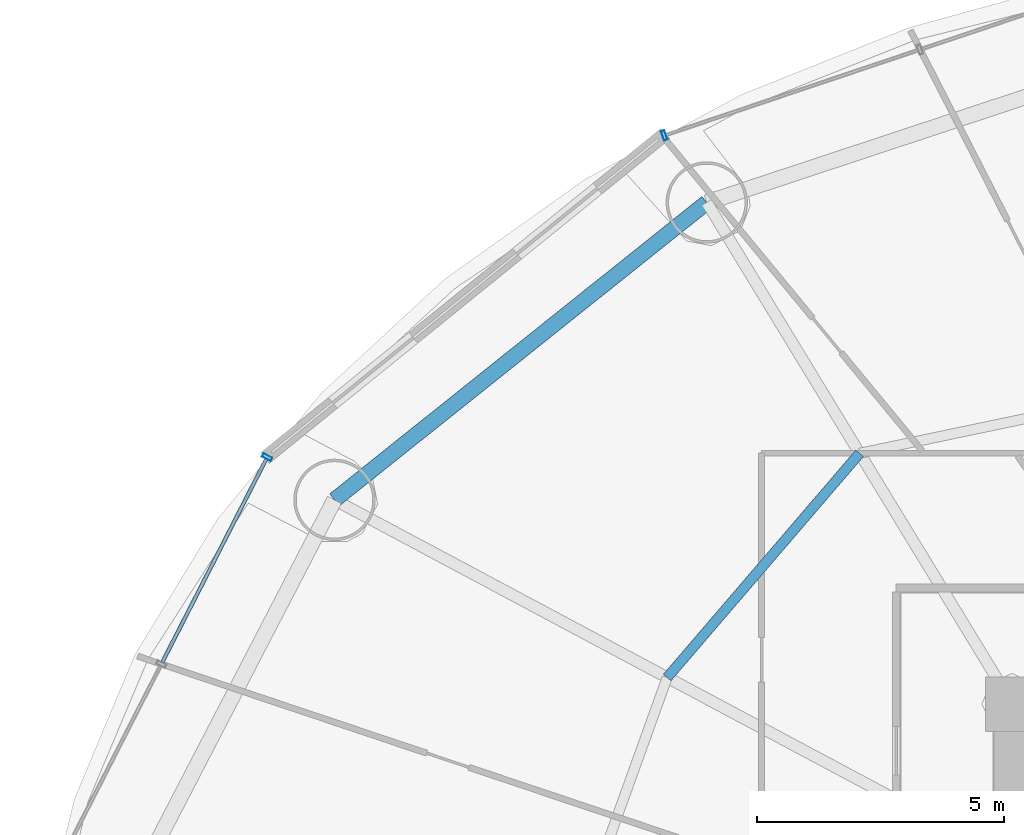
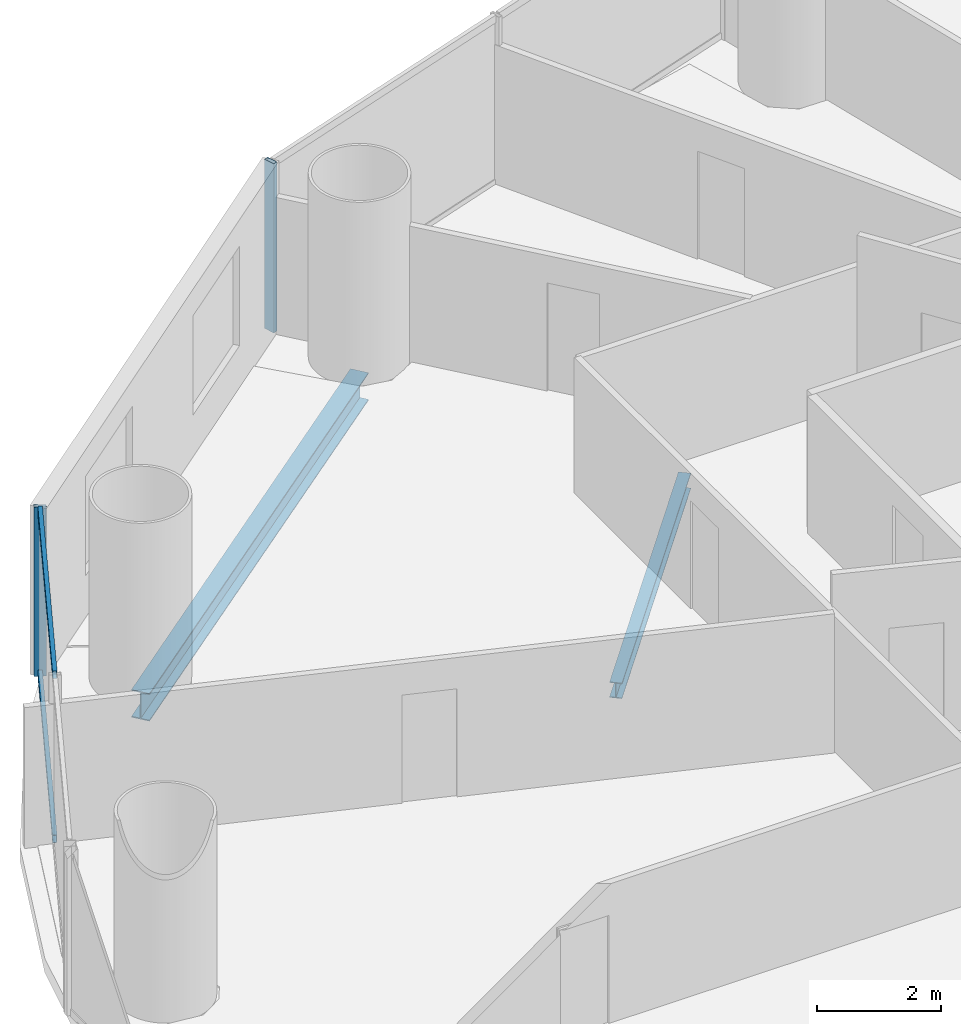
# One storey, part 16 of 30: 4 members, 2 beams, 2 elements without a shape of their own.
"""IFC4 building model written with IfcOpenShell, lengths in metres."""

from ifc_helpers import new_model, si_unit, direction, frame, origin, origin_2d, place, context, subcontext, project, spatial, hollow_rectangle, i_section, extrude, source, transform, mapped, material, material_profile, profile_set, type_object, element, aggregate, save


model = new_model("IFC4")

# Units and contexts
model_context = context("Model", 3, precision=1e-05, world=origin(), true_north=direction((-0.2419218956, 0.970295726276)))
body_context = subcontext(model_context, "Body", "Model", "MODEL_VIEW")
ifc_project = project(units=[si_unit("LENGTHUNIT", "METRE"), si_unit("AREAUNIT", "SQUARE_METRE"), si_unit("VOLUMEUNIT", "CUBIC_METRE"), si_unit("PLANEANGLEUNIT", "RADIAN"), si_unit("MASSUNIT", "GRAM", prefix="KILO")], contexts=[model_context])

# Site, building, storey
site_placement = place(None, origin())
site = spatial("IfcSite", under=ifc_project, at=site_placement, CompositionType="ELEMENT")
building_placement = place(site_placement, origin())
building = spatial("IfcBuilding", under=site, at=building_placement, Name="Cobrevalo Terracotta Tower", CompositionType="ELEMENT")
storey_placement = place(building_placement, frame((0.0, 0.0, 56.39990234375)))
storey = spatial("IfcBuildingStorey", under=building, at=storey_placement, Name="L14", CompositionType="ELEMENT", Elevation=56.39990234375)

# Beams
ifc_material_1 = material(Name="Steel S355", Category="steel")
ifc_material_profile_1 = material_profile(ifc_material_1, i_section(OverallWidth=0.2041015625, OverallDepth=0.305908203125, WebThickness=0.008544921875, FlangeThickness=0.0146484375, at=origin_2d()), Name="W 310x67")
ifc_profile_set_1 = profile_set([ifc_material_profile_1], Name="Steel S355")
beam_type_1 = type_object("IfcBeamType", Name="Structural Joist W 310x67 (Steel S355)", PredefinedType="JOIST", material=ifc_profile_set_1)
beam_1_placement = place(storey_placement, frame((25.902587890625, 39.8837890625, -0.432861328125), z_axis=(-0.651328404454, -0.758795960421, 0.0), x_axis=(0.758795960421, -0.651328404454, 0.0)))
element("IfcBeam", 1, at=beam_1_placement, inside=storey, type_object=beam_type_1, Name="L14 circumferential secondary floor joist 06", PredefinedType="JOIST", context=body_context, shape_type="SweptSolid", body=[
    extrude(i_section(OverallWidth=0.2041015625, OverallDepth=0.305908203125, WebThickness=0.008544921875, FlangeThickness=0.0146484375, at=origin_2d()), origin(), (0.0, 0.0, 1.0), 5.98828125),
])
ifc_material_profile_2 = material_profile(ifc_material_1, i_section(OverallWidth=0.31201171875, OverallDepth=0.54296875, WebThickness=0.0126953125, FlangeThickness=0.020263671875, at=origin_2d()), Name="W 530x150")
ifc_profile_set_2 = profile_set([ifc_material_profile_2], Name="Steel S355")
beam_type_2 = type_object("IfcBeamType", Name="Structural Spandrel W 530x150 (Steel S355)", PredefinedType="SPANDREL", material=ifc_profile_set_2)
beam_2_placement = place(storey_placement, frame((22.80517578125, 44.967529296875, -0.551513671875), z_axis=(-0.781292806807, -0.62416468182, 0.0), x_axis=(0.62416468182, -0.781292806807, 0.0)))
element("IfcBeam", 2, at=beam_2_placement, inside=storey, type_object=beam_type_2, Name="L14 perimeter ring spandrel 06", PredefinedType="SPANDREL", context=body_context, shape_type="SweptSolid", body=[
    extrude(i_section(OverallWidth=0.31201171875, OverallDepth=0.54296875, WebThickness=0.0126953125, FlangeThickness=0.020263671875, at=origin_2d()), origin(), (0.0, 0.0, 1.0), 9.658203125),
])

# Curtain wall, member
ifc_material_2 = material(Name="Anodized aluminium", Category="aluminium")
curtain_wall_type = type_object("IfcCurtainWallType", Name="Lower-tower unitised acoustic low-E curtain wall CW-U1", PredefinedType="NOTDEFINED", material=ifc_material_2)
curtain_wall_1_placement = place(storey_placement, origin())
curtain_wall_1 = element("IfcCurtainWall", 3, at=curtain_wall_1_placement, inside=storey, type_object=curtain_wall_type, Name="L14 curtain wall CW-L14-S05", PredefinedType="NOTDEFINED")
ifc_material_profile_3 = material_profile(ifc_material_2, hollow_rectangle(XDim=0.074951171875, YDim=0.199951171875, WallThickness=0.0048828125, at=origin_2d()), Name="CWM 75x200")
ifc_profile_set_3 = profile_set([ifc_material_profile_3], Name="Anodized aluminium")
member_type_1 = type_object("IfcMemberType", Name="Lower/mid tower unitised mullion 75x200", PredefinedType="MULLION", material=ifc_profile_set_3)
shared_shape_1 = source(origin(), body_context, "Body", "SweptSolid", [
    extrude(hollow_rectangle(XDim=0.074951171875, YDim=0.199951171875, WallThickness=0.0048828125, at=origin_2d()), origin(), (0.0, 0.0, 1.0), 3.320068359375),
])
member_1_placement = place(storey_placement, frame((21.943115234375, 46.327392578125, 0.0), z_axis=(0.0, 0.0, 1.0), x_axis=(-0.948046393597, -0.318132103987, 0.0)))
member_1 = element("IfcMember", 4, at=member_1_placement, type_object=member_type_1, Name="CW-L14-S05 vertical mullion 03", PredefinedType="MULLION", context=body_context, shape_type="MappedRepresentation", body=[
    mapped(shared_shape_1, transform((0.0, 0.0, 0.0), scale=1.0)),
])
aggregate(curtain_wall_1, [member_1])

# Curtain wall, members
curtain_wall_2_placement = place(storey_placement, origin())
curtain_wall_2 = element("IfcCurtainWall", 5, at=curtain_wall_2_placement, inside=storey, type_object=curtain_wall_type, Name="L14 curtain wall CW-L14-S07", PredefinedType="NOTDEFINED")
member_2_placement = place(storey_placement, frame((13.89404296875, 39.8037109375, 0.0), z_axis=(0.0, 0.0, 1.0), x_axis=(-0.455234136597, -0.890371765543, 0.0)))
member_2 = element("IfcMember", 6, at=member_2_placement, type_object=member_type_1, Name="CW-L14-S07 vertical mullion 01", PredefinedType="MULLION", context=body_context, shape_type="MappedRepresentation", body=[
    mapped(shared_shape_1, transform((0.0, 0.0, 0.0), scale=1.0)),
])
ifc_material_profile_4 = material_profile(ifc_material_2, hollow_rectangle(XDim=0.074951171875, YDim=0.14990234375, WallThickness=0.00439453125, at=origin_2d()), Name="CWT 75x150")
ifc_profile_set_4 = profile_set([ifc_material_profile_4], Name="Anodized aluminium")
member_type_2 = type_object("IfcMemberType", Name="Tower unitised aluminium transom 75x150", PredefinedType="USERDEFINED", material=ifc_profile_set_4)
shared_shape_2 = source(origin(), body_context, "Body", "SweptSolid", [
    extrude(hollow_rectangle(XDim=0.074951171875, YDim=0.14990234375, WallThickness=0.00439453125, at=origin_2d()), origin(), (0.0, 0.0, 1.0), 4.63134765625),
])
member_3_placement = place(storey_placement, frame((13.8759765625, 39.76806640625, 0.050048828125), z_axis=(-0.455250376494, -0.890363462133, 0.0), x_axis=(0.890363462133, -0.455250376494, 0.0)))
member_3 = element("IfcMember", 7, at=member_3_placement, type_object=member_type_2, Name="CW-L14-S07 transom B01-T1", ObjectType="TRANSOM", PredefinedType="USERDEFINED", context=body_context, shape_type="MappedRepresentation", body=[
    mapped(shared_shape_2, transform((0.0, 0.0, 0.0), scale=1.0)),
])
member_4_placement = place(storey_placement, frame((13.8759765625, 39.76806640625, 3.27001953125), z_axis=(-0.455250376494, -0.890363462133, 0.0), x_axis=(0.890363462133, -0.455250376494, 0.0)))
member_4 = element("IfcMember", 8, at=member_4_placement, type_object=member_type_2, Name="CW-L14-S07 transom B01-T2", ObjectType="TRANSOM", PredefinedType="USERDEFINED", context=body_context, shape_type="MappedRepresentation", body=[
    mapped(shared_shape_2, transform((0.0, 0.0, 0.0), scale=1.0)),
])
aggregate(curtain_wall_2, [member_2, member_3, member_4])

save(model, "model.ifc")
